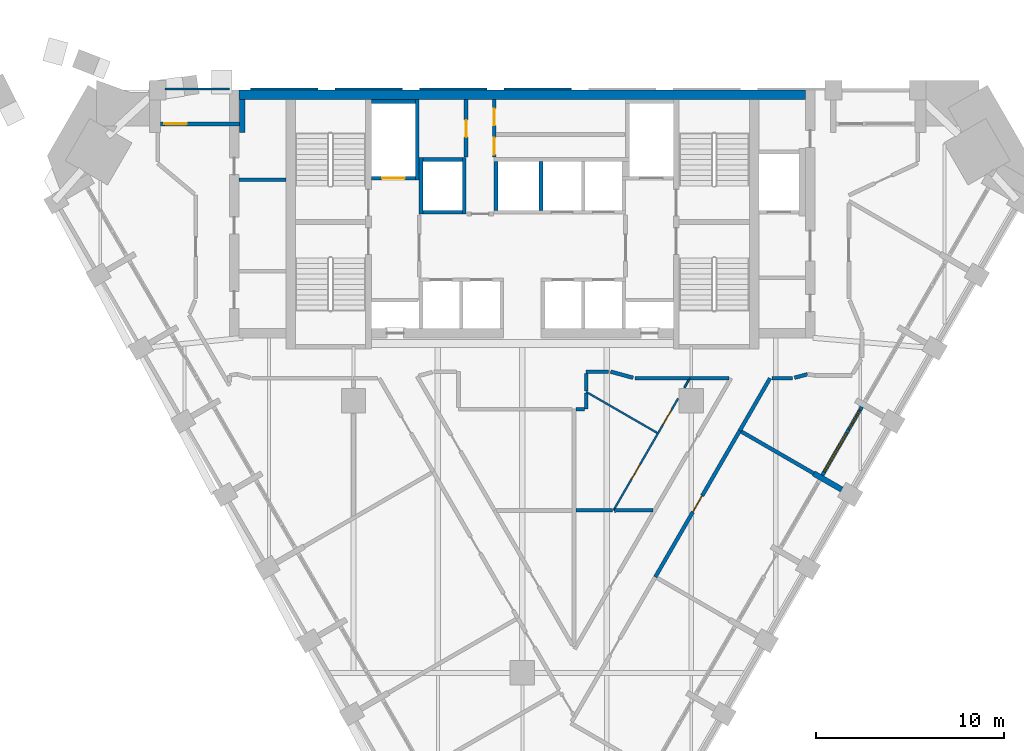
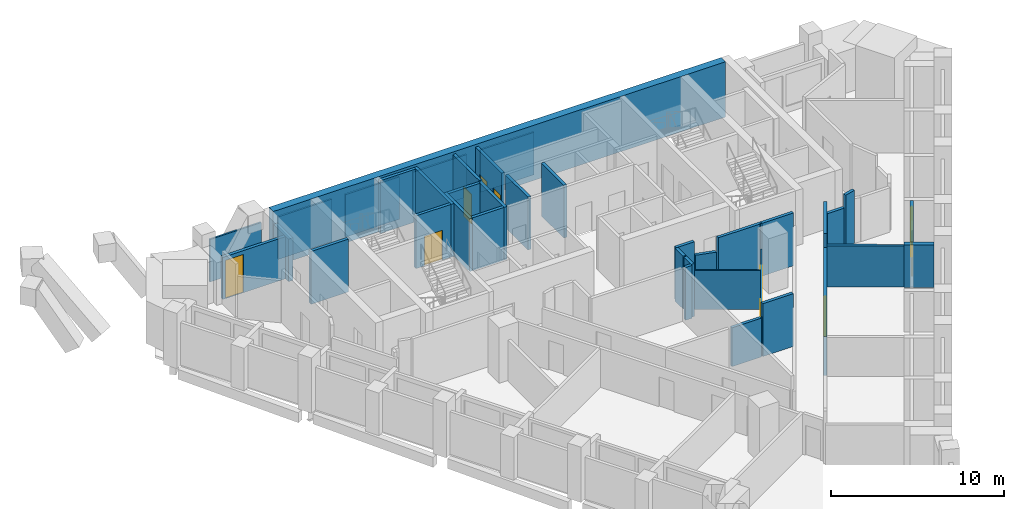
# One storey, part 6 of 10: 39 walls, 9 doors, 1 window, 10 openings.
"""IFC4 building model written with IfcOpenShell, lengths in metres."""

from ifc_helpers import new_model, si_unit, direction, frame, frame_2d, origin, place, context, subcontext, project, spatial, polyline, rectangle, outline, extrude, material, layer, layer_set, type_object, element, fill, save


model = new_model("IFC4")

# Units and contexts
model_context = context("Model", 3, precision=1e-05, world=origin(), true_north=direction((0.0, 1.0)))
body_context = subcontext(model_context, "Body", "Model", "MODEL_VIEW")
ifc_project = project(units=[si_unit("LENGTHUNIT", "METRE"), si_unit("AREAUNIT", "SQUARE_METRE"), si_unit("VOLUMEUNIT", "CUBIC_METRE"), si_unit("PLANEANGLEUNIT", "RADIAN"), si_unit("MASSUNIT", "GRAM", prefix="KILO")], contexts=[model_context])

# Site, building, storey
site_placement = place(None, origin())
site = spatial("IfcSite", under=ifc_project, at=site_placement, CompositionType="ELEMENT")
building_placement = place(site_placement, origin())
building = spatial("IfcBuilding", under=site, at=building_placement, Name="Calabash Gate Tower", CompositionType="ELEMENT")
storey_placement = place(building_placement, frame((0.0, 0.0, 187.5)))
storey = spatial("IfcBuildingStorey", under=building, at=storey_placement, Name="L44", CompositionType="ELEMENT", Elevation=187.5)

# Walls
ifc_material_1 = material(Name="Terracotta brick masonry, exposed face", Category="masonry")
ifc_layer_1 = layer(ifc_material_1, 0.300048828125)
ifc_layer_set_1 = layer_set([ifc_layer_1], Name="Brick loggia cheek wall 300")
wall_type_1 = type_object("IfcWallType", Name="Brick loggia cheek wall 300", PredefinedType="SOLIDWALL", material=ifc_layer_set_1)
wall_1_placement = place(storey_placement, frame((15.523193359375, -1.368896484375, 0.0), z_axis=(0.0, 0.0, 1.0), x_axis=(0.866074815912, -0.499914405916, 0.0)))
element("IfcWall", 1, at=wall_1_placement, inside=storey, type_object=wall_type_1, Name="Loggia cheek S12 SE4.4", PredefinedType="SOLIDWALL", context=body_context, shape_type="SweptSolid", body=[
    extrude(rectangle(XDim=1.724853515625, YDim=0.300048828125, at=frame_2d((0.8623046875, 0.0))), origin(), (0.0, 0.0, 1.0), 3.0),
])
wall_2_placement = place(storey_placement, origin())
element("IfcWall", 2, at=wall_2_placement, inside=storey, type_object=wall_type_1, Name="Loggia cheek S12 N6.8", PredefinedType="SOLIDWALL", context=body_context, shape_type="SweptSolid", body=[
    extrude(outline(polyline([(-15.078125, 16.802490234375), (-15.078125, 18.5546875), (-14.778076171875, 18.5546875), (-14.778076171875, 16.802490234375), (-15.078125, 16.802490234375)])), origin(), (0.0, 0.0, 1.0), 3.0),
])
ifc_material_2 = material(Name="Gypsum board on steel studs, mineral wool", Category="steel")
ifc_layer_2 = layer(ifc_material_2, 0.199951171875)
ifc_layer_set_2 = layer_set([ifc_layer_2], Name="Core partition 200 gypsum board")
wall_type_2 = type_object("IfcWallType", Name="Core partition 200 gypsum board", PredefinedType="PARTITIONING", material=ifc_layer_set_2)
wall_3_placement = place(storey_placement, frame((-15.10009765625, 14.28271484375, 0.0), z_axis=(0.0, 0.0, 1.0), x_axis=(1.0, 0.0, 0.0)))
element("IfcWall", 3, at=wall_3_placement, inside=storey, type_object=wall_type_2, Name="Core partition", PredefinedType="PARTITIONING", context=body_context, shape_type="SweptSolid", body=[
    extrude(rectangle(XDim=2.5, YDim=0.199951171875, at=frame_2d((1.25, 0.0))), origin(), (0.0, 0.0, 1.0), 3.72998046875),
])
ifc_material_3 = material(Name="Concrete C70/85", Category="concrete")
ifc_layer_3 = layer(ifc_material_3, 0.5)
ifc_layer_set_3 = layer_set([ifc_layer_3], Name="Core wall 500 Concrete C70/85")
wall_type_3 = type_object("IfcWallType", Name="Core wall 500 Concrete C70/85", PredefinedType="SHEAR", material=ifc_layer_set_3)
wall_4_placement = place(storey_placement, frame((-15.10009765625, 18.802490234375, 0.0), z_axis=(0.0, 0.0, 1.0), x_axis=(1.0, 0.0, 0.0)))
element("IfcWall", 4, at=wall_4_placement, inside=storey, type_object=wall_type_3, Name="Core wall Z3-N L44", PredefinedType="SHEAR", context=body_context, shape_type="SweptSolid", body=[
    extrude(rectangle(XDim=30.2001953125, YDim=0.5, at=frame_2d((15.10009765625, 0.0))), origin(), (0.0, 0.0, 1.0), 3.89990234375),
])

# Wall, openings, doors
ifc_material_4 = material(Name="Gypsum board on steel studs, mineral wool", Category="steel")
ifc_layer_4 = layer(ifc_material_4, 0.10009765625)
ifc_layer_set_4 = layer_set([ifc_layer_4], Name="Partition 100 gypsum board")
wall_type_4 = type_object("IfcWallType", Name="Partition 100 gypsum board", PredefinedType="PARTITIONING", material=ifc_layer_set_4)
wall_5_placement = place(storey_placement, frame((4.85693359375, -3.339599609375, 0.0), z_axis=(0.0, 0.0, 1.0), x_axis=(0.499969101261, 0.866043242445, 0.0)))
wall_5 = element("IfcWall", 5, at=wall_5_placement, inside=storey, type_object=wall_type_4, Name="Partition", PredefinedType="PARTITIONING", context=body_context, shape_type="SweptSolid", body=[
    extrude(rectangle(XDim=6.88330078125, YDim=0.10009765625, at=frame_2d((3.441650390625, 0.0))), origin(), (0.0, 0.0, 1.0), 2.74169921875),
])
opening_1_placement = place(wall_5_placement, frame((1.91943359375, 0.0, 0.0)))
opening_1 = element("IfcOpeningElement", 6, at=opening_1_placement, cuts=wall_5, Name="Opening 42-44-015", PredefinedType="OPENING", context=body_context, shape_type="SweptSolid", body=[
    extrude(rectangle(XDim=0.89990234375, YDim=2.10009765625, at=frame_2d((0.449951171875, 1.050048828125))), frame((0.0, 0.06005859375, 0.0), z_axis=(0.0, -1.0, 0.0), x_axis=(1.0, 0.0, 0.0)), (0.0, 0.0, 1.0), 0.1201171875),
])
opening_2_placement = place(wall_5_placement, frame((5.283935546875, 0.0, 0.0)))
opening_2 = element("IfcOpeningElement", 7, at=opening_2_placement, cuts=wall_5, Name="Opening 42-44-016", PredefinedType="OPENING", context=body_context, shape_type="SweptSolid", body=[
    extrude(rectangle(XDim=0.89990234375, YDim=2.10009765625, at=frame_2d((0.449951171875, 1.050048828125))), frame((0.0, 0.06005859375, 0.0), z_axis=(0.0, -1.0, 0.0), x_axis=(1.0, 0.0, 0.0)), (0.0, 0.0, 1.0), 0.1201171875),
])
ifc_material_5 = material(Name="Painted timber door", Category="wood")
door_type_1 = type_object("IfcDoorType", Name="WD1 WC door 900x2100", OperationType="NOTDEFINED", PredefinedType="DOOR", material=ifc_material_5)
door_1_placement = place(opening_1_placement, origin())
door_1 = element("IfcDoor", 8, at=door_1_placement, inside=storey, type_object=door_type_1, Name="WC door", OperationType="SINGLE_SWING_LEFT", OverallHeight=2.10009765625, OverallWidth=0.89990234375, PredefinedType="DOOR", context=body_context, shape_type="SweptSolid", body=[
    extrude(rectangle(XDim=0.89990234375, YDim=2.10009765625, at=frame_2d((0.449951171875, 1.050048828125))), frame((0.0, 0.02490234375, 0.0), z_axis=(0.0, -1.0, 0.0), x_axis=(1.0, 0.0, 0.0)), (0.0, 0.0, 1.0), 0.050048828125),
])
fill(opening_1, door_1)
door_2_placement = place(opening_2_placement, origin())
door_2 = element("IfcDoor", 9, at=door_2_placement, inside=storey, type_object=door_type_1, Name="WC door", OperationType="SINGLE_SWING_RIGHT", OverallHeight=2.10009765625, OverallWidth=0.89990234375, PredefinedType="DOOR", context=body_context, shape_type="SweptSolid", body=[
    extrude(rectangle(XDim=0.89990234375, YDim=2.10009765625, at=frame_2d((0.449951171875, 1.050048828125))), frame((0.0, 0.02490234375, 0.0), z_axis=(0.0, -1.0, 0.0), x_axis=(1.0, 0.0, 0.0)), (0.0, 0.0, 1.0), 0.050048828125),
])
fill(opening_2, door_2)

# Walls
wall_6_placement = place(storey_placement, frame((3.400390625, 2.974609375, 0.0), z_axis=(0.0, 0.0, 1.0), x_axis=(0.866040401994, -0.49997402144, 0.0)))
element("IfcWall", 10, at=wall_6_placement, inside=storey, type_object=wall_type_4, Name="Partition", PredefinedType="PARTITIONING", context=body_context, shape_type="SweptSolid", body=[
    extrude(rectangle(XDim=4.368408203125, YDim=0.10009765625, at=frame_2d((2.18408203125, 0.0))), origin(), (0.0, 0.0, 1.0), 2.74169921875),
])
wall_7_placement = place(storey_placement, frame((8.634521484375, 3.199951171875, 0.0), z_axis=(0.0, 0.0, 1.0), x_axis=(0.496967188395, 0.867769332057, 0.0)))
element("IfcWall", 11, at=wall_7_placement, inside=storey, type_object=wall_type_4, Name="Partition", PredefinedType="PARTITIONING", context=body_context, shape_type="SweptSolid", body=[
    extrude(rectangle(XDim=0.47607421875, YDim=0.10009765625, at=frame_2d((0.238037109375, 0.0))), origin(), (0.0, 0.0, 1.0), 3.72998046875),
])
ifc_material_6 = material(Name="Gypsum board on steel studs, mineral wool", Category="steel")
ifc_layer_5 = layer(ifc_material_6, 0.199951171875)
ifc_layer_set_5 = layer_set([ifc_layer_5], Name="Partition 200 gypsum board EI 60")
wall_type_5 = type_object("IfcWallType", Name="Partition 200 gypsum board EI 60", PredefinedType="PARTITIONING", material=ifc_layer_set_5)
wall_8_placement = place(storey_placement, frame((2.856201171875, -3.337890625, 0.0), z_axis=(0.0, 0.0, 1.0), x_axis=(1.0, 0.0, 0.0)))
element("IfcWall", 12, at=wall_8_placement, inside=storey, type_object=wall_type_5, Name="Partition", PredefinedType="PARTITIONING", context=body_context, shape_type="SweptSolid", body=[
    extrude(rectangle(XDim=1.95361328125, YDim=0.199951171875, at=frame_2d((0.976806640625, 0.0))), origin(), (0.0, 0.0, 1.0), 2.74169921875),
])
wall_9_placement = place(storey_placement, frame((4.908935546875, -3.33984375, 0.0), z_axis=(0.0, 0.0, 1.0), x_axis=(0.99999974282, 0.000717188436, 0.0)))
element("IfcWall", 13, at=wall_9_placement, inside=storey, type_object=wall_type_5, Name="Partition", PredefinedType="PARTITIONING", context=body_context, shape_type="SweptSolid", body=[
    extrude(rectangle(XDim=2.04248046875, YDim=0.199951171875, at=frame_2d((1.021240234375, 0.0))), origin(), (0.0, 0.0, 1.0), 3.72998046875),
])
wall_10_placement = place(storey_placement, frame((11.670654296875, 0.857666015625, 0.0), z_axis=(0.0, 0.0, 1.0), x_axis=(0.865862960607, -0.500281254345, 0.0)))
element("IfcWall", 14, at=wall_10_placement, inside=storey, type_object=wall_type_5, Name="Partition", PredefinedType="PARTITIONING", context=body_context, shape_type="SweptSolid", body=[
    extrude(rectangle(XDim=4.44970703125, YDim=0.199951171875, at=frame_2d((2.224853515625, 0.0))), origin(), (0.0, 0.0, 1.0), 2.884033203125),
])

# Wall, opening, door
wall_11_placement = place(storey_placement, frame((7.084716796875, -6.888916015625, 0.0), z_axis=(0.0, 0.0, 1.0), x_axis=(0.499981539608, 0.866036061634, 0.0)))
wall_11 = element("IfcWall", 15, at=wall_11_placement, inside=storey, type_object=wall_type_5, Name="Partition", PredefinedType="PARTITIONING", context=body_context, shape_type="SweptSolid", body=[
    extrude(rectangle(XDim=8.999755859375, YDim=0.199951171875, at=frame_2d((4.5, 0.0))), origin(), (0.0, 0.0, 1.0), 2.74169921875),
])
opening_3_placement = place(wall_11_placement, frame((4.0, 0.0, 0.0)))
opening_3 = element("IfcOpeningElement", 16, at=opening_3_placement, cuts=wall_11, Name="Opening 42-44-005", PredefinedType="OPENING", context=body_context, shape_type="SweptSolid", body=[
    extrude(rectangle(XDim=1.0, YDim=2.10009765625, at=frame_2d((0.5, 1.050048828125))), frame((0.0, 0.10986328125, 0.0), z_axis=(0.0, -1.0, 0.0), x_axis=(1.0, 0.0, 0.0)), (0.0, 0.0, 1.0), 0.219970703125),
])
ifc_material_7 = material(Name="Steel fire door set with fire-resisting glazing", Category="steel")
door_type_2 = type_object("IfcDoorType", Name="LD2 Meeting room door 1000x2100", OperationType="NOTDEFINED", PredefinedType="DOOR", material=ifc_material_7)
door_3_placement = place(opening_3_placement, origin())
door_3 = element("IfcDoor", 17, at=door_3_placement, inside=storey, type_object=door_type_2, Name="Meeting room door", OperationType="SINGLE_SWING_LEFT", OverallHeight=2.10009765625, OverallWidth=1.0, PredefinedType="DOOR", context=body_context, shape_type="SweptSolid", body=[
    extrude(rectangle(XDim=1.0, YDim=2.10009765625, at=frame_2d((0.5, 1.050048828125))), frame((0.0, 0.02490234375, 0.0), z_axis=(0.0, -1.0, 0.0), x_axis=(1.0, 0.0, 0.0)), (0.0, 0.0, 1.0), 0.050048828125),
])
fill(opening_3, door_3)

# Walls
wall_12_placement = place(storey_placement, frame((2.856201171875, 2.05078125, 0.0), z_axis=(0.0, 0.0, 1.0), x_axis=(0.999996218015, 0.002750264626, 0.0)))
element("IfcWall", 18, at=wall_12_placement, inside=storey, type_object=wall_type_5, Name="Partition", PredefinedType="PARTITIONING", context=body_context, shape_type="SweptSolid", body=[
    extrude(rectangle(XDim=0.44384765625, YDim=0.199951171875, at=frame_2d((0.221923828125, 0.0))), origin(), (0.0, 0.0, 1.0), 3.72998046875),
])
wall_13_placement = place(storey_placement, frame((3.39990234375, 2.052490234375, 0.0), z_axis=(0.0, 0.0, 1.0), x_axis=(0.002247816743, 0.999997473657, 0.0)))
element("IfcWall", 19, at=wall_13_placement, inside=storey, type_object=wall_type_5, Name="Partition", PredefinedType="PARTITIONING", context=body_context, shape_type="SweptSolid", body=[
    extrude(rectangle(XDim=0.868896484375, YDim=0.199951171875, at=frame_2d((0.4345703125, 0.0))), origin(), (0.0, 0.0, 1.0), 3.72998046875),
])
wall_14_placement = place(storey_placement, frame((6.0, 3.69970703125, 0.0), z_axis=(0.0, 0.0, 1.0), x_axis=(0.99999982895, -0.000584892948, 0.0)))
element("IfcWall", 20, at=wall_14_placement, inside=storey, type_object=wall_type_5, Name="Partition", PredefinedType="PARTITIONING", context=body_context, shape_type="SweptSolid", body=[
    extrude(rectangle(XDim=2.921875, YDim=0.199951171875, at=frame_2d((1.4609375, 0.0))), origin(), (0.0, 0.0, 1.0), 3.72998046875),
])
wall_15_placement = place(storey_placement, frame((8.922119140625, 3.697998046875, 0.0), z_axis=(0.0, 0.0, 1.0), x_axis=(0.999999667194, 0.000815850544, 0.0)))
element("IfcWall", 21, at=wall_15_placement, inside=storey, type_object=wall_type_5, Name="Partition", PredefinedType="PARTITIONING", context=body_context, shape_type="SweptSolid", body=[
    extrude(rectangle(XDim=2.0947265625, YDim=0.199951171875, at=frame_2d((1.04736328125, 0.0))), origin(), (0.0, 0.0, 1.0), 3.72998046875),
])
wall_16_placement = place(storey_placement, frame((11.584716796875, 0.905517578125, 0.0), z_axis=(0.0, 0.0, 1.0), x_axis=(0.499591387573, 0.866261187785, 0.0)))
element("IfcWall", 22, at=wall_16_placement, inside=storey, type_object=wall_type_5, Name="Partition", PredefinedType="PARTITIONING", context=body_context, shape_type="SweptSolid", body=[
    extrude(rectangle(XDim=3.225341796875, YDim=0.199951171875, at=frame_2d((1.61279296875, 0.0))), origin(), (0.0, 0.0, 1.0), 3.72998046875),
])
wall_17_placement = place(storey_placement, frame((13.2958984375, 3.699462890625, 0.0), z_axis=(0.0, 0.0, 1.0), x_axis=(1.0, 0.0, 0.0)))
element("IfcWall", 23, at=wall_17_placement, inside=storey, type_object=wall_type_5, Name="Partition", PredefinedType="PARTITIONING", context=body_context, shape_type="SweptSolid", body=[
    extrude(rectangle(XDim=1.10400390625, YDim=0.199951171875, at=frame_2d((0.552001953125, 0.0))), origin(), (0.0, 0.0, 1.0), 2.884033203125),
])
wall_18_placement = place(storey_placement, frame((4.699951171875, 4.052490234375, 0.0), z_axis=(0.0, 0.0, 1.0), x_axis=(0.965137813174, -0.26174224264, 0.0)))
element("IfcWall", 24, at=wall_18_placement, inside=storey, type_object=wall_type_5, Name="Partition", PredefinedType="PARTITIONING", context=body_context, shape_type="SweptSolid", body=[
    extrude(rectangle(XDim=1.2470703125, YDim=0.199951171875, at=frame_2d((0.62353515625, 0.0))), origin(), (0.0, 0.0, 1.0), 2.74169921875),
])
wall_19_placement = place(storey_placement, frame((14.49658203125, 3.7255859375, 0.0), z_axis=(0.0, 0.0, 1.0), x_axis=(0.965137431954, 0.26174364833, 0.0)))
element("IfcWall", 25, at=wall_19_placement, inside=storey, type_object=wall_type_5, Name="Partition", PredefinedType="PARTITIONING", context=body_context, shape_type="SweptSolid", body=[
    extrude(rectangle(XDim=0.721923828125, YDim=0.199951171875, at=frame_2d((0.36083984375, 0.0))), origin(), (0.0, 0.0, 1.0), 3.72998046875),
])
wall_20_placement = place(storey_placement, frame((3.402099609375, 3.021728515625, 0.0), z_axis=(0.0, 0.0, 1.0), x_axis=(0.0, 1.0, 0.0)))
element("IfcWall", 26, at=wall_20_placement, inside=storey, type_object=wall_type_5, Name="Partition", PredefinedType="PARTITIONING", context=body_context, shape_type="SweptSolid", body=[
    extrude(rectangle(XDim=0.928955078125, YDim=0.199951171875, at=frame_2d((0.46435546875, 0.0))), origin(), (0.0, 0.0, 1.0), 3.72998046875),
])
wall_21_placement = place(storey_placement, frame((3.402099609375, 4.050537109375, 0.0), z_axis=(0.0, 0.0, 1.0), x_axis=(0.999998982503, 0.001426532072, 0.0)))
element("IfcWall", 27, at=wall_21_placement, inside=storey, type_object=wall_type_5, Name="Partition", PredefinedType="PARTITIONING", context=body_context, shape_type="SweptSolid", body=[
    extrude(rectangle(XDim=1.197998046875, YDim=0.199951171875, at=frame_2d((0.59912109375, 0.0))), origin(), (0.0, 0.0, 1.0), 3.72998046875),
])
ifc_material_8 = material(Name="Concrete C40/50", Category="concrete")
ifc_layer_6 = layer(ifc_material_8, 0.199951171875)
ifc_layer_set_6 = layer_set([ifc_layer_6], Name="Shaft wall 200 Concrete C40/50")
wall_type_6 = type_object("IfcWallType", Name="Shaft wall 200 Concrete C40/50", PredefinedType="SOLIDWALL", material=ifc_layer_set_6)
wall_22_placement = place(storey_placement, frame((-5.39990234375, 12.45263671875, 0.0), z_axis=(0.0, 0.0, 1.0), x_axis=(0.0, 1.0, 0.0)))
element("IfcWall", 28, at=wall_22_placement, inside=storey, type_object=wall_type_6, Name="Shaft wall", PredefinedType="SOLIDWALL", context=body_context, shape_type="SweptSolid", body=[
    extrude(rectangle(XDim=3.0, YDim=0.199951171875, at=frame_2d((1.5, 0.0))), origin(), (0.0, 0.0, 1.0), 3.72998046875),
])
wall_23_placement = place(storey_placement, frame((-5.300048828125, 12.552490234375, 0.0), z_axis=(0.0, 0.0, 1.0), x_axis=(1.0, 0.0, 0.0)))
element("IfcWall", 29, at=wall_23_placement, inside=storey, type_object=wall_type_6, Name="Shaft wall", PredefinedType="SOLIDWALL", context=body_context, shape_type="SweptSolid", body=[
    extrude(rectangle(XDim=2.10009765625, YDim=0.199951171875, at=frame_2d((1.050048828125, 0.0))), origin(), (0.0, 0.0, 1.0), 3.72998046875),
])
wall_24_placement = place(storey_placement, frame((-3.10009765625, 12.45263671875, 0.0), z_axis=(0.0, 0.0, 1.0), x_axis=(0.0, 1.0, 0.0)))
element("IfcWall", 30, at=wall_24_placement, inside=storey, type_object=wall_type_6, Name="Shaft wall", PredefinedType="SOLIDWALL", context=body_context, shape_type="SweptSolid", body=[
    extrude(rectangle(XDim=3.0, YDim=0.199951171875, at=frame_2d((1.5, 0.0))), origin(), (0.0, 0.0, 1.0), 3.72998046875),
])
for number, where, z_axis, x_axis, name in (
    (31, (-1.39990234375, 12.652587890625, 0.0), (0.0, 0.0, 1.0), (0.0, 1.0, 0.0), "Shaft wall"),
    (32, (1.0, 12.652587890625, 0.0), (0.0, 0.0, 1.0), (0.0, 1.0, 0.0), "Shaft wall"),
):
    element("IfcWall", number, at=place(storey_placement, frame(where, z_axis=z_axis, x_axis=x_axis)), inside=storey, type_object=wall_type_6, Name=name, PredefinedType="SOLIDWALL", context=body_context, shape_type="SweptSolid", body=[
        extrude(rectangle(XDim=2.60009765625, YDim=0.199951171875, at=frame_2d((1.300048828125, 0.0))), origin(), (0.0, 0.0, 1.0), 3.72998046875),
    ])

# Wall, opening, door
wall_25_placement = place(storey_placement, frame((-8.050048828125, 14.3525390625, 0.0), z_axis=(0.0, 0.0, 1.0), x_axis=(1.0, 0.0, 0.0)))
wall_25 = element("IfcWall", 33, at=wall_25_placement, inside=storey, type_object=wall_type_6, Name="Shaft wall", PredefinedType="SOLIDWALL", context=body_context, shape_type="SweptSolid", body=[
    extrude(rectangle(XDim=2.35009765625, YDim=0.199951171875, at=frame_2d((1.175048828125, 0.0))), origin(), (0.0, 0.0, 1.0), 3.72998046875),
])
opening_4_placement = place(wall_25_placement, frame((0.574951171875, 0.0, 0.0)))
opening_4 = element("IfcOpeningElement", 34, at=opening_4_placement, cuts=wall_25, Name="Opening LD-FF1", PredefinedType="OPENING", context=body_context, shape_type="SweptSolid", body=[
    extrude(rectangle(XDim=1.199951171875, YDim=2.10009765625, at=frame_2d((0.60009765625, 1.050048828125))), frame((0.0, 0.10986328125, 0.0), z_axis=(0.0, -1.0, 0.0), x_axis=(1.0, 0.0, 0.0)), (0.0, 0.0, 1.0), 0.219970703125),
])
ifc_material_9 = material(Name="Stainless steel sliding door leaves", Category="steel")
door_type_3 = type_object("IfcDoorType", Name="Lift landing door LS3 1200x2100 FD90", OperationType="DOUBLE_DOOR_SLIDING", PredefinedType="DOOR", material=ifc_material_9)
door_4_placement = place(opening_4_placement, origin())
door_4 = element("IfcDoor", 35, at=door_4_placement, inside=storey, type_object=door_type_3, Name="Lift landing door FF1", OperationType="DOUBLE_DOOR_SLIDING", OverallHeight=2.10009765625, OverallWidth=1.199951171875, PredefinedType="DOOR", context=body_context, shape_type="SweptSolid", body=[
    extrude(rectangle(XDim=1.199951171875, YDim=2.10009765625, at=frame_2d((0.60009765625, 1.050048828125))), frame((0.0, 0.02490234375, 0.0), z_axis=(0.0, -1.0, 0.0), x_axis=(1.0, 0.0, 0.0)), (0.0, 0.0, 1.0), 0.050048828125),
])
fill(opening_4, door_4)

# Walls
wall_26_placement = place(storey_placement, frame((-5.60009765625, 14.252685546875, 0.0), z_axis=(0.0, 0.0, 1.0), x_axis=(0.0, 1.0, 0.0)))
element("IfcWall", 36, at=wall_26_placement, inside=storey, type_object=wall_type_6, Name="Shaft wall", PredefinedType="SOLIDWALL", context=body_context, shape_type="SweptSolid", body=[
    extrude(rectangle(XDim=4.2998046875, YDim=0.199951171875, at=frame_2d((2.14990234375, 0.0))), origin(), (0.0, 0.0, 1.0), 3.72998046875),
])
wall_27_placement = place(storey_placement, frame((-5.300048828125, 15.3525390625, 0.0), z_axis=(0.0, 0.0, 1.0), x_axis=(1.0, 0.0, 0.0)))
element("IfcWall", 37, at=wall_27_placement, inside=storey, type_object=wall_type_6, Name="Shaft wall", PredefinedType="SOLIDWALL", context=body_context, shape_type="SweptSolid", body=[
    extrude(rectangle(XDim=2.10009765625, YDim=0.199951171875, at=frame_2d((1.050048828125, 0.0))), origin(), (0.0, 0.0, 1.0), 3.72998046875),
])

# Wall, opening, door
wall_28_placement = place(storey_placement, frame((-3.0, 15.502685546875, 0.0), z_axis=(0.0, 0.0, 1.0), x_axis=(0.0, 1.0, 0.0)))
wall_28 = element("IfcWall", 38, at=wall_28_placement, inside=storey, type_object=wall_type_6, Name="Shaft wall", PredefinedType="SOLIDWALL", context=body_context, shape_type="SweptSolid", body=[
    extrude(rectangle(XDim=3.0498046875, YDim=0.199951171875, at=frame_2d((1.52490234375, 0.0))), origin(), (0.0, 0.0, 1.0), 3.72998046875),
])
opening_5_placement = place(wall_28_placement, frame((1.050048828125, 0.0, 0.0)))
opening_5 = element("IfcOpeningElement", 39, at=opening_5_placement, cuts=wall_28, Name="Opening O4-010", PredefinedType="OPENING", context=body_context, shape_type="SweptSolid", body=[
    extrude(rectangle(XDim=0.89990234375, YDim=2.10009765625, at=frame_2d((0.449951171875, 1.050048828125))), frame((0.0, 0.10986328125, 0.0), z_axis=(0.0, -1.0, 0.0), x_axis=(1.0, 0.0, 0.0)), (0.0, 0.0, 1.0), 0.219970703125),
])
ifc_material_10 = material(Name="Steel fire door set with fire-resisting glazing", Category="steel")
door_type_4 = type_object("IfcDoorType", Name="Fire door D06 900x2100 FD60", OperationType="NOTDEFINED", PredefinedType="DOOR", material=ifc_material_10)
door_5_placement = place(opening_5_placement, origin())
door_5 = element("IfcDoor", 40, at=door_5_placement, inside=storey, type_object=door_type_4, Name="Accessible WC door", OperationType="SINGLE_SWING_LEFT", OverallHeight=2.10009765625, OverallWidth=0.89990234375, PredefinedType="DOOR", context=body_context, shape_type="SweptSolid", body=[
    extrude(rectangle(XDim=0.89990234375, YDim=2.10009765625, at=frame_2d((0.449951171875, 1.050048828125))), frame((0.0, 0.02490234375, 0.0), z_axis=(0.0, -1.0, 0.0), x_axis=(1.0, 0.0, 0.0)), (0.0, 0.0, 1.0), 0.050048828125),
])
fill(opening_5, door_5)

# Wall, openings, doors
wall_29_placement = place(storey_placement, frame((-1.5, 15.502685546875, 0.0), z_axis=(0.0, 0.0, 1.0), x_axis=(0.0, 1.0, 0.0)))
wall_29 = element("IfcWall", 41, at=wall_29_placement, inside=storey, type_object=wall_type_6, Name="Shaft wall", PredefinedType="SOLIDWALL", context=body_context, shape_type="SweptSolid", body=[
    extrude(rectangle(XDim=3.0498046875, YDim=0.199951171875, at=frame_2d((1.52490234375, 0.0))), origin(), (0.0, 0.0, 1.0), 3.72998046875),
])
opening_6_placement = place(wall_29_placement, frame((0.1201171875, 0.0, 0.0)))
opening_6 = element("IfcOpeningElement", 42, at=opening_6_placement, cuts=wall_29, Name="Opening O4-011", PredefinedType="OPENING", context=body_context, shape_type="SweptSolid", body=[
    extrude(rectangle(XDim=0.89990234375, YDim=2.10009765625, at=frame_2d((0.449951171875, 1.050048828125))), frame((0.0, 0.10986328125, 0.0), z_axis=(0.0, -1.0, 0.0), x_axis=(1.0, 0.0, 0.0)), (0.0, 0.0, 1.0), 0.219970703125),
])
opening_7_placement = place(wall_29_placement, frame((1.669921875, 0.0, 0.0)))
opening_7 = element("IfcOpeningElement", 43, at=opening_7_placement, cuts=wall_29, Name="Opening O4-012", PredefinedType="OPENING", context=body_context, shape_type="SweptSolid", body=[
    extrude(rectangle(XDim=0.89990234375, YDim=2.10009765625, at=frame_2d((0.449951171875, 1.050048828125))), frame((0.0, 0.10986328125, 0.0), z_axis=(0.0, -1.0, 0.0), x_axis=(1.0, 0.0, 0.0)), (0.0, 0.0, 1.0), 0.219970703125),
])
door_6_placement = place(opening_6_placement, origin())
door_6 = element("IfcDoor", 44, at=door_6_placement, inside=storey, type_object=door_type_4, Name="Meter Room door", OperationType="SINGLE_SWING_LEFT", OverallHeight=2.10009765625, OverallWidth=0.89990234375, PredefinedType="DOOR", context=body_context, shape_type="SweptSolid", body=[
    extrude(rectangle(XDim=0.89990234375, YDim=2.10009765625, at=frame_2d((0.449951171875, 1.050048828125))), frame((0.0, 0.02490234375, 0.0), z_axis=(0.0, -1.0, 0.0), x_axis=(1.0, 0.0, 0.0)), (0.0, 0.0, 1.0), 0.050048828125),
])
fill(opening_6, door_6)
door_7_placement = place(opening_7_placement, origin())
door_7 = element("IfcDoor", 45, at=door_7_placement, inside=storey, type_object=door_type_4, Name="Cleaner's Store door", OperationType="SINGLE_SWING_LEFT", OverallHeight=2.10009765625, OverallWidth=0.89990234375, PredefinedType="DOOR", context=body_context, shape_type="SweptSolid", body=[
    extrude(rectangle(XDim=0.89990234375, YDim=2.10009765625, at=frame_2d((0.449951171875, 1.050048828125))), frame((0.0, 0.02490234375, 0.0), z_axis=(0.0, -1.0, 0.0), x_axis=(1.0, 0.0, 0.0)), (0.0, 0.0, 1.0), 0.050048828125),
])
fill(opening_7, door_7)

# Walls
wall_30_placement = place(storey_placement, frame((-8.050048828125, 18.45263671875, 0.0), z_axis=(0.0, 0.0, 1.0), x_axis=(1.0, 0.0, 0.0)))
element("IfcWall", 46, at=wall_30_placement, inside=storey, type_object=wall_type_6, Name="Shaft wall", PredefinedType="SOLIDWALL", context=body_context, shape_type="SweptSolid", body=[
    extrude(rectangle(XDim=2.35009765625, YDim=0.199951171875, at=frame_2d((1.175048828125, 0.0))), origin(), (0.0, 0.0, 1.0), 3.72998046875),
])
ifc_material_11 = material(Name="Terracotta brick masonry, perforated", Category="masonry")
ifc_layer_7 = layer(ifc_material_11, 0.1201171875)
ifc_layer_set_7 = layer_set([ifc_layer_7], Name="Terracotta jaali cladding B 120")
wall_type_7 = type_object("IfcWallType", Name="Terracotta jaali cladding B 120", PredefinedType="SOLIDWALL", material=ifc_layer_set_7)
wall_31_placement = place(storey_placement, origin())
element("IfcWall", 47, at=wall_31_placement, inside=storey, type_object=wall_type_7, Name="Jaali cladding S12 N6.5", PredefinedType="SOLIDWALL", context=body_context, shape_type="SweptSolid", body=[
    extrude(outline(polyline([(-0.978271484375, 19.172607421875), (-0.978271484375, 19.052490234375), (2.621826171875, 19.052490234375), (2.621826171875, 19.172607421875), (-0.978271484375, 19.172607421875)])), origin(), (0.0, 0.0, 1.0), 3.0),
])
wall_32_placement = place(storey_placement, origin())
element("IfcWall", 48, at=wall_32_placement, inside=storey, type_object=wall_type_7, Name="Jaali cladding S12 N6.7", PredefinedType="SOLIDWALL", context=body_context, shape_type="SweptSolid", body=[
    extrude(outline(polyline([(-9.978271484375, 19.172607421875), (-9.978271484375, 19.052490234375), (-6.378173828125, 19.052490234375), (-6.378173828125, 19.172607421875), (-9.978271484375, 19.172607421875)])), origin(), (0.0, 0.0, 1.0), 3.0),
])
wall_33_placement = place(storey_placement, frame((-15.598388671875, 19.112548828125, 0.0), z_axis=(0.0, 0.0, 1.0), x_axis=(-1.0, 0.0, 0.0)))
element("IfcWall", 49, at=wall_33_placement, inside=storey, type_object=wall_type_7, Name="Jaali cladding S12 N6.c1", PredefinedType="SOLIDWALL", context=body_context, shape_type="SweptSolid", body=[
    extrude(rectangle(XDim=3.43994140625, YDim=0.1201171875, at=frame_2d((1.719970703125, 0.0))), origin(), (0.0, 0.0, 1.0), 3.0),
])
ifc_material_12 = material(Name="Terracotta louvre blades in an aluminium frame", Category="masonry")
ifc_layer_8 = layer(ifc_material_12, 0.1201171875)
ifc_layer_set_8 = layer_set([ifc_layer_8], Name="Terracotta vent louvre cladding 120")
wall_type_8 = type_object("IfcWallType", Name="Terracotta vent louvre cladding 120", PredefinedType="ELEMENTEDWALL", material=ifc_layer_set_8)
wall_34_placement = place(storey_placement, origin())
element("IfcWall", 50, at=wall_34_placement, inside=storey, type_object=wall_type_8, Name="Vent louvre cladding S12 N6.6", PredefinedType="ELEMENTEDWALL", context=body_context, shape_type="SweptSolid", body=[
    extrude(outline(polyline([(-5.478271484375, 19.172607421875), (-5.478271484375, 19.052490234375), (-1.878173828125, 19.052490234375), (-1.878173828125, 19.172607421875), (-5.478271484375, 19.172607421875)])), origin(), (0.0, 0.0, 1.0), 3.0),
])
wall_35_placement = place(storey_placement, origin())
element("IfcWall", 51, at=wall_35_placement, inside=storey, type_object=wall_type_8, Name="Vent louvre cladding S12 N6.8", PredefinedType="ELEMENTEDWALL", context=body_context, shape_type="SweptSolid", body=[
    extrude(outline(polyline([(-14.478271484375, 19.172607421875), (-14.478271484375, 19.052490234375), (-10.878173828125, 19.052490234375), (-10.878173828125, 19.172607421875), (-14.478271484375, 19.172607421875)])), origin(), (0.0, 0.0, 1.0), 3.0),
])

# Wall, openings, door, window
ifc_material_13 = material(Name="Aluminium framed window wall with insulated spandrel", Category="aluminium")
ifc_layer_9 = layer(ifc_material_13, 0.199951171875)
ifc_layer_set_9 = layer_set([ifc_layer_9], Name="Window wall 200")
wall_type_9 = type_object("IfcWallType", Name="Window wall 200", PredefinedType="ELEMENTEDWALL", material=ifc_layer_set_9)
wall_36_placement = place(storey_placement, frame((15.98779296875, -1.4638671875, 0.0), z_axis=(0.0, 0.0, 1.0), x_axis=(0.500027713859, 0.866009402589, 0.0)))
wall_36 = element("IfcWall", 52, at=wall_36_placement, inside=storey, type_object=wall_type_9, Name="Window wall S12 SE4.5", PredefinedType="ELEMENTEDWALL", context=body_context, shape_type="SweptSolid", body=[
    extrude(rectangle(XDim=4.199951171875, YDim=0.199951171875, at=frame_2d((2.10009765625, 0.0))), origin(), (0.0, 0.0, 1.0), 3.0),
])
opening_8_placement = place(wall_36_placement, frame((0.199951171875, 0.0, 0.449951171875)))
opening_8 = element("IfcOpeningElement", 53, at=opening_8_placement, cuts=wall_36, Name="Opening OW1", PredefinedType="OPENING", context=body_context, shape_type="SweptSolid", body=[
    extrude(rectangle(XDim=2.39990234375, YDim=2.25, at=frame_2d((1.199951171875, 1.125))), frame((0.0, 0.10986328125, 0.0), z_axis=(0.0, -1.0, 0.0), x_axis=(1.0, 0.0, 0.0)), (0.0, 0.0, 1.0), 0.219970703125),
])
opening_9_placement = place(wall_36_placement, frame((2.800048828125, 0.0, 0.0)))
opening_9 = element("IfcOpeningElement", 54, at=opening_9_placement, cuts=wall_36, Name="Opening O4-023", PredefinedType="OPENING", context=body_context, shape_type="SweptSolid", body=[
    extrude(rectangle(XDim=1.199951171875, YDim=2.699951171875, at=frame_2d((0.60009765625, 1.35009765625))), frame((0.0, 0.10986328125, 0.0), z_axis=(0.0, -1.0, 0.0), x_axis=(1.0, 0.0, 0.0)), (0.0, 0.0, 1.0), 0.219970703125),
])
ifc_material_14 = material(Name="Anodised aluminium frame, bronze finish, impact-rated laminated clear glazing", Category="aluminium")
door_type_5 = type_object("IfcDoorType", Name="Loggia door DO1 1200x2700", OperationType="SLIDING_TO_LEFT", PredefinedType="DOOR", material=ifc_material_14)
door_8_placement = place(opening_9_placement, origin())
door_8 = element("IfcDoor", 55, at=door_8_placement, inside=storey, type_object=door_type_5, Name="Loggia door S12 SE4.5", OperationType="SINGLE_SWING_LEFT", OverallHeight=2.699951171875, OverallWidth=1.199951171875, PredefinedType="DOOR", context=body_context, shape_type="SweptSolid", body=[
    extrude(rectangle(XDim=1.199951171875, YDim=2.699951171875, at=frame_2d((0.60009765625, 1.35009765625))), frame((0.0, 0.02490234375, 0.0), z_axis=(0.0, -1.0, 0.0), x_axis=(1.0, 0.0, 0.0)), (0.0, 0.0, 1.0), 0.050048828125),
])
fill(opening_9, door_8)
ifc_material_15 = material(Name="Anodised aluminium frame, bronze finish, impact-rated laminated clear glazing", Category="aluminium")
window_type = type_object("IfcWindowType", Name="Window OW1 2400x2250", PartitioningType="DOUBLE_PANEL_VERTICAL", PredefinedType="WINDOW", material=ifc_material_15)
window_placement = place(opening_8_placement, origin())
window = element("IfcWindow", 56, at=window_placement, inside=storey, type_object=window_type, Name="Window OW1 S12 SE4.5", OverallHeight=2.25, OverallWidth=2.39990234375, PartitioningType="SINGLE_PANEL", PredefinedType="WINDOW", context=body_context, shape_type="SweptSolid", body=[
    extrude(rectangle(XDim=2.39990234375, YDim=2.25, at=frame_2d((1.199951171875, 1.125))), frame((0.0, 0.030029296875, 0.0), z_axis=(0.0, -1.0, 0.0), x_axis=(1.0, 0.0, 0.0)), (0.0, 0.0, 1.0), 0.06005859375),
])
fill(opening_8, window)

# Wall, opening, door
wall_37_placement = place(storey_placement, frame((-15.078125, 17.25244140625, 0.0), z_axis=(0.0, 0.0, 1.0), x_axis=(-1.0, 0.0, 0.0)))
wall_37 = element("IfcWall", 57, at=wall_37_placement, inside=storey, type_object=wall_type_9, Name="Window wall S12 N6.9", PredefinedType="ELEMENTEDWALL", context=body_context, shape_type="SweptSolid", body=[
    extrude(rectangle(XDim=4.199951171875, YDim=0.199951171875, at=frame_2d((2.10009765625, 0.0))), origin(), (0.0, 0.0, 1.0), 2.9736328125),
])
opening_10_placement = place(wall_37_placement, frame((2.800048828125, 0.0, 0.0)))
opening_10 = element("IfcOpeningElement", 58, at=opening_10_placement, cuts=wall_37, Name="Opening O4-020", PredefinedType="OPENING", context=body_context, shape_type="SweptSolid", body=[
    extrude(rectangle(XDim=1.199951171875, YDim=2.699951171875, at=frame_2d((0.60009765625, 1.35009765625))), frame((0.0, 0.10986328125, 0.0), z_axis=(0.0, -1.0, 0.0), x_axis=(1.0, 0.0, 0.0)), (0.0, 0.0, 1.0), 0.219970703125),
])
door_9_placement = place(opening_10_placement, origin())
door_9 = element("IfcDoor", 59, at=door_9_placement, inside=storey, type_object=door_type_5, Name="Loggia door S12 N6.9", OperationType="SINGLE_SWING_LEFT", OverallHeight=2.699951171875, OverallWidth=1.199951171875, PredefinedType="DOOR", context=body_context, shape_type="SweptSolid", body=[
    extrude(rectangle(XDim=1.199951171875, YDim=2.699951171875, at=frame_2d((0.60009765625, 1.35009765625))), frame((0.0, 0.02490234375, 0.0), z_axis=(0.0, -1.0, 0.0), x_axis=(1.0, 0.0, 0.0)), (0.0, 0.0, 1.0), 0.050048828125),
])
fill(opening_10, door_9)

save(model, "model.ifc")
